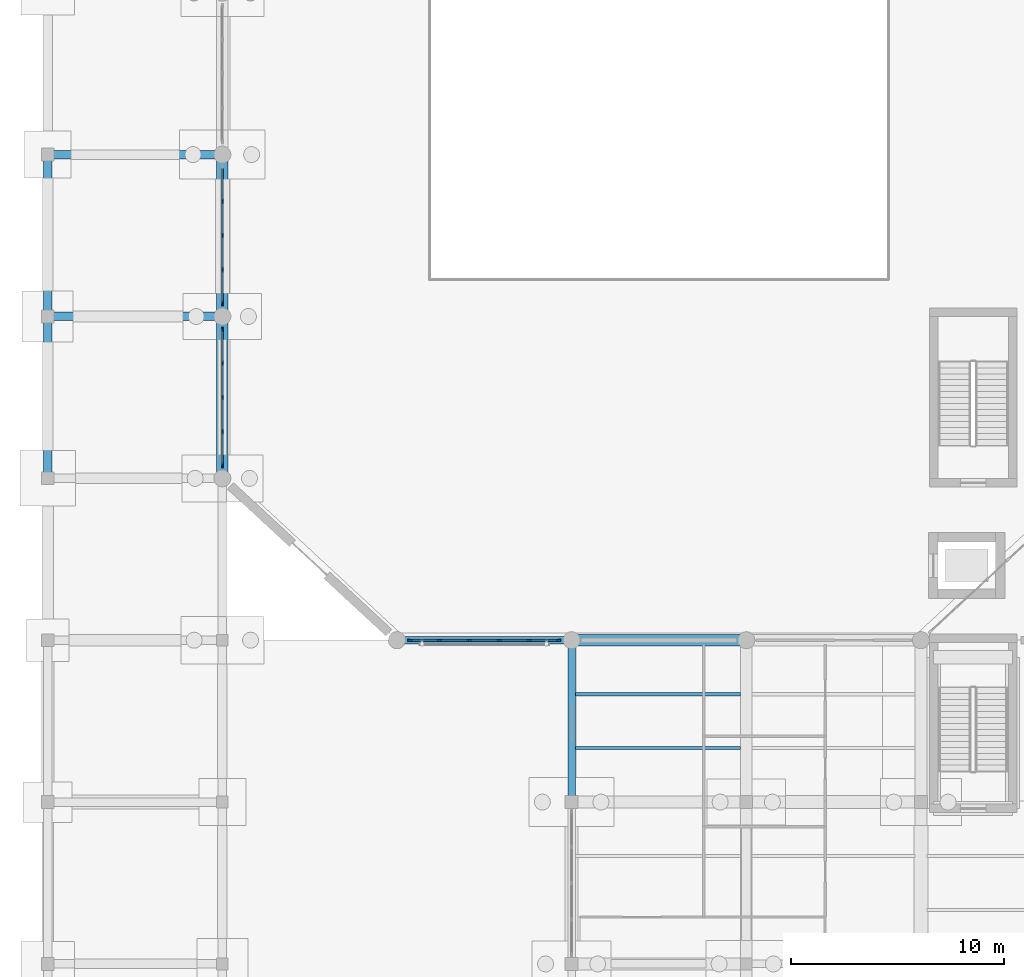
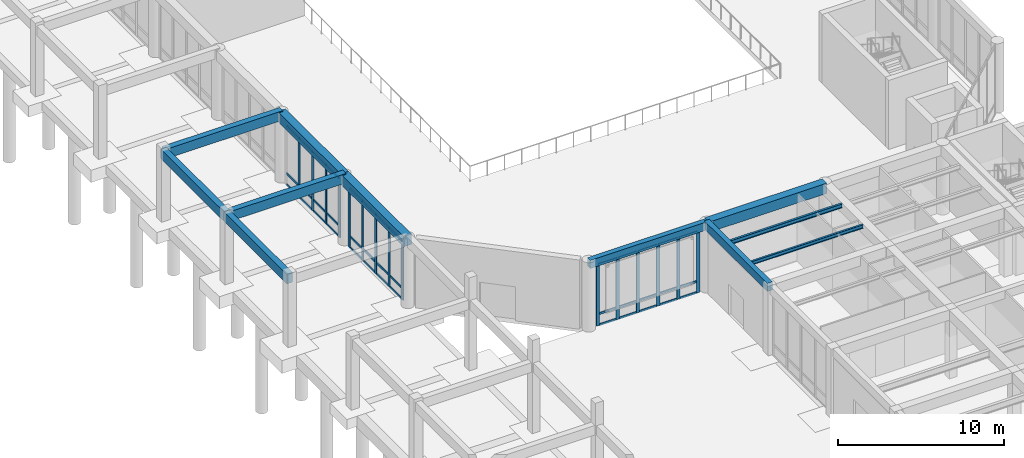
# One storey, part 14 of 64: 54 members, 11 beams, 3 elements without a shape of their own.
"""IFC4 building model written with IfcOpenShell, lengths in metres."""

from ifc_helpers import new_model, si_unit, direction, frame, origin, origin_2d, place, context, subcontext, project, spatial, rectangle, i_section, extrude, material, material_profile, profile_set, type_object, element, aggregate, save


model = new_model("IFC4")

# Units and contexts
model_context = context("Model", 3, precision=1e-05, world=origin(), true_north=direction((0.0, 1.0)))
body_context = subcontext(model_context, "Body", "Model", "MODEL_VIEW")
ifc_project = project(units=[si_unit("LENGTHUNIT", "METRE"), si_unit("AREAUNIT", "SQUARE_METRE"), si_unit("VOLUMEUNIT", "CUBIC_METRE"), si_unit("PLANEANGLEUNIT", "RADIAN"), si_unit("MASSUNIT", "GRAM", prefix="KILO")], contexts=[model_context])

# Site, building, storey
site_placement = place(None, origin())
site = spatial("IfcSite", under=ifc_project, at=site_placement, CompositionType="ELEMENT")
building_placement = place(site_placement, origin())
building = spatial("IfcBuilding", under=site, at=building_placement, Name="Qandaris Square Conservatory and Botanical Centre", CompositionType="ELEMENT")
storey_placement = place(building_placement, origin())
storey = spatial("IfcBuildingStorey", under=building, at=storey_placement, Name="L00", CompositionType="ELEMENT", Elevation=0.0)

# Beam
ifc_material_1 = material(Name="Steel S355", Category="steel")
ifc_material_profile_1 = material_profile(ifc_material_1, i_section(OverallWidth=0.14990234375, OverallDepth=0.300048828125, WebThickness=0.007080078125, FlangeThickness=0.0107421875, FilletRadius=0.014892578125, at=origin_2d()), Name="IPE 300")
ifc_profile_set_1 = profile_set([ifc_material_profile_1], Name="Steel S355")
beam_type_1 = type_object("IfcBeamType", Name="Composite Lab Joist IPE 300", PredefinedType="JOIST", material=ifc_profile_set_1)
beam_1_placement = place(storey_placement, frame((32.77490234375, 44.466796875, 4.93994140625), z_axis=(1.0, 0.0, 0.0), x_axis=(0.0, 1.0, 0.0)))
element("IfcBeam", 1, at=beam_1_placement, inside=storey, type_object=beam_type_1, Name="L00 Composite Joist 0704", PredefinedType="JOIST", context=body_context, shape_type="SweptSolid", body=[
    extrude(i_section(OverallWidth=0.14990234375, OverallDepth=0.300048828125, WebThickness=0.007080078125, FlangeThickness=0.0107421875, FilletRadius=0.014892578125, at=origin_2d()), origin(), (0.0, 0.0, 1.0), 7.75),
])

# Curtain wall, members
ifc_material_2 = material(Name="Anodised Aluminium", Category="aluminium")
curtain_wall_type_1 = type_object("IfcCurtainWallType", Name="Unitised Curtain Wall CW-1-704x450", PredefinedType="USERDEFINED", material=ifc_material_2)
curtain_wall_1_placement = place(storey_placement, origin())
curtain_wall_1 = element("IfcCurtainWall", 2, at=curtain_wall_1_placement, inside=storey, type_object=curtain_wall_type_1, Name="Curtain Wall CW-CON-L00-0W", ObjectType="GLAZED CURTAIN WALL", PredefinedType="USERDEFINED")
ifc_material_profile_2 = material_profile(ifc_material_2, rectangle(XDim=0.074951171875, YDim=0.219970703125, at=origin_2d()), Name="ALU-MUL 75x220")
ifc_profile_set_2 = profile_set([ifc_material_profile_2], Name="Anodised Aluminium")
member_type_1 = type_object("IfcMemberType", Name="Conservatory Heavy Mullion 75x220", PredefinedType="MULLION", material=ifc_profile_set_2)
member_1_placement = place(storey_placement, frame((25.017578125, 47.0, 0.0), z_axis=(0.0, 0.0, 1.0), x_axis=(0.0, 1.0, 0.0)))
member_1 = element("IfcMember", 3, at=member_1_placement, type_object=member_type_1, Name="CW-1-704x450 mullion 1", PredefinedType="MULLION", context=body_context, shape_type="SweptSolid", body=[
    extrude(rectangle(XDim=0.074951171875, YDim=0.219970703125, at=origin_2d()), origin(), (0.0, 0.0, 1.0), 4.5),
])
member_2_placement = place(storey_placement, frame((26.387939453125, 47.0, 0.0), z_axis=(0.0, 0.0, 1.0), x_axis=(0.0, 1.0, 0.0)))
member_2 = element("IfcMember", 4, at=member_2_placement, type_object=member_type_1, Name="CW-1-704x450 mullion 2", PredefinedType="MULLION", context=body_context, shape_type="SweptSolid", body=[
    extrude(rectangle(XDim=0.074951171875, YDim=0.219970703125, at=origin_2d()), origin(), (0.0, 0.0, 1.0), 4.5),
])
member_3_placement = place(storey_placement, frame((27.7958984375, 47.0, 0.0), z_axis=(0.0, 0.0, 1.0), x_axis=(0.0, 1.0, 0.0)))
member_3 = element("IfcMember", 5, at=member_3_placement, type_object=member_type_1, Name="CW-1-704x450 mullion 3", PredefinedType="MULLION", context=body_context, shape_type="SweptSolid", body=[
    extrude(rectangle(XDim=0.074951171875, YDim=0.219970703125, at=origin_2d()), origin(), (0.0, 0.0, 1.0), 4.5),
])
member_4_placement = place(storey_placement, frame((29.2041015625, 47.0, 0.0), z_axis=(0.0, 0.0, 1.0), x_axis=(0.0, 1.0, 0.0)))
member_4 = element("IfcMember", 6, at=member_4_placement, type_object=member_type_1, Name="CW-1-704x450 mullion 4", PredefinedType="MULLION", context=body_context, shape_type="SweptSolid", body=[
    extrude(rectangle(XDim=0.074951171875, YDim=0.219970703125, at=origin_2d()), origin(), (0.0, 0.0, 1.0), 4.5),
])
member_5_placement = place(storey_placement, frame((30.612060546875, 47.0, 0.0), z_axis=(0.0, 0.0, 1.0), x_axis=(0.0, 1.0, 0.0)))
member_5 = element("IfcMember", 7, at=member_5_placement, type_object=member_type_1, Name="CW-1-704x450 mullion 5", PredefinedType="MULLION", context=body_context, shape_type="SweptSolid", body=[
    extrude(rectangle(XDim=0.074951171875, YDim=0.219970703125, at=origin_2d()), origin(), (0.0, 0.0, 1.0), 4.5),
])
member_6_placement = place(storey_placement, frame((31.982421875, 47.0, 0.0), z_axis=(0.0, 0.0, 1.0), x_axis=(0.0, 1.0, 0.0)))
member_6 = element("IfcMember", 8, at=member_6_placement, type_object=member_type_1, Name="CW-1-704x450 mullion 6", PredefinedType="MULLION", context=body_context, shape_type="SweptSolid", body=[
    extrude(rectangle(XDim=0.074951171875, YDim=0.219970703125, at=origin_2d()), origin(), (0.0, 0.0, 1.0), 4.5),
])

curtain_wall_type_2 = type_object("IfcCurtainWallType", Name="Unitised Curtain Wall CW-1-644x435", PredefinedType="USERDEFINED", material=ifc_material_2)
curtain_wall_2_placement = place(storey_placement, origin())
curtain_wall_2 = element("IfcCurtainWall", 9, at=curtain_wall_2_placement, inside=storey, type_object=curtain_wall_type_2, Name="Curtain Wall CW-CON-L00-7-6", ObjectType="GLAZED CURTAIN WALL", PredefinedType="USERDEFINED")
member_7_placement = place(storey_placement, frame((16.199951171875, 67.610107421875, 0.0), z_axis=(0.0, 0.0, 1.0), x_axis=(1.0, 0.0, 0.0)))
member_7 = element("IfcMember", 10, at=member_7_placement, type_object=member_type_1, Name="CW-1-644x435 mullion 2", PredefinedType="MULLION", context=body_context, shape_type="SweptSolid", body=[
    extrude(rectangle(XDim=0.074951171875, YDim=0.219970703125, at=origin_2d()), origin(), (0.0, 0.0, 1.0), 4.35009765625),
])
member_8_placement = place(storey_placement, frame((16.199951171875, 66.0, 0.0), z_axis=(0.0, 0.0, 1.0), x_axis=(1.0, 0.0, 0.0)))
member_8 = element("IfcMember", 11, at=member_8_placement, type_object=member_type_1, Name="CW-1-644x435 mullion 3", PredefinedType="MULLION", context=body_context, shape_type="SweptSolid", body=[
    extrude(rectangle(XDim=0.074951171875, YDim=0.219970703125, at=origin_2d()), origin(), (0.0, 0.0, 1.0), 4.35009765625),
])
member_9_placement = place(storey_placement, frame((16.199951171875, 64.389892578125, 0.0), z_axis=(0.0, 0.0, 1.0), x_axis=(1.0, 0.0, 0.0)))
member_9 = element("IfcMember", 12, at=member_9_placement, type_object=member_type_1, Name="CW-1-644x435 mullion 4", PredefinedType="MULLION", context=body_context, shape_type="SweptSolid", body=[
    extrude(rectangle(XDim=0.074951171875, YDim=0.219970703125, at=origin_2d()), origin(), (0.0, 0.0, 1.0), 4.35009765625),
])
member_10_placement = place(storey_placement, frame((16.199951171875, 62.8173828125, 0.0), z_axis=(0.0, 0.0, 1.0), x_axis=(1.0, 0.0, 0.0)))
member_10 = element("IfcMember", 13, at=member_10_placement, type_object=member_type_1, Name="CW-1-644x435 mullion 5", PredefinedType="MULLION", context=body_context, shape_type="SweptSolid", body=[
    extrude(rectangle(XDim=0.074951171875, YDim=0.219970703125, at=origin_2d()), origin(), (0.0, 0.0, 1.0), 4.35009765625),
])

curtain_wall_3_placement = place(storey_placement, origin())
curtain_wall_3 = element("IfcCurtainWall", 14, at=curtain_wall_3_placement, inside=storey, type_object=curtain_wall_type_2, Name="Curtain Wall CW-CON-L00-7-7", ObjectType="GLAZED CURTAIN WALL", PredefinedType="USERDEFINED")
member_11_placement = place(storey_placement, frame((16.199951171875, 61.58251953125, 0.0), z_axis=(0.0, 0.0, 1.0), x_axis=(1.0, 0.0, 0.0)))
member_11 = element("IfcMember", 15, at=member_11_placement, type_object=member_type_1, Name="CW-1-644x435 mullion 1", PredefinedType="MULLION", context=body_context, shape_type="SweptSolid", body=[
    extrude(rectangle(XDim=0.074951171875, YDim=0.219970703125, at=origin_2d()), origin(), (0.0, 0.0, 1.0), 4.35009765625),
])
member_12_placement = place(storey_placement, frame((16.199951171875, 60.010009765625, 0.0), z_axis=(0.0, 0.0, 1.0), x_axis=(1.0, 0.0, 0.0)))
member_12 = element("IfcMember", 16, at=member_12_placement, type_object=member_type_1, Name="CW-1-644x435 mullion 2", PredefinedType="MULLION", context=body_context, shape_type="SweptSolid", body=[
    extrude(rectangle(XDim=0.074951171875, YDim=0.219970703125, at=origin_2d()), origin(), (0.0, 0.0, 1.0), 4.35009765625),
])
member_13_placement = place(storey_placement, frame((16.199951171875, 58.39990234375, 0.0), z_axis=(0.0, 0.0, 1.0), x_axis=(1.0, 0.0, 0.0)))
member_13 = element("IfcMember", 17, at=member_13_placement, type_object=member_type_1, Name="CW-1-644x435 mullion 3", PredefinedType="MULLION", context=body_context, shape_type="SweptSolid", body=[
    extrude(rectangle(XDim=0.074951171875, YDim=0.219970703125, at=origin_2d()), origin(), (0.0, 0.0, 1.0), 4.35009765625),
])
member_14_placement = place(storey_placement, frame((16.199951171875, 56.7900390625, 0.0), z_axis=(0.0, 0.0, 1.0), x_axis=(1.0, 0.0, 0.0)))
member_14 = element("IfcMember", 18, at=member_14_placement, type_object=member_type_1, Name="CW-1-644x435 mullion 4", PredefinedType="MULLION", context=body_context, shape_type="SweptSolid", body=[
    extrude(rectangle(XDim=0.074951171875, YDim=0.219970703125, at=origin_2d()), origin(), (0.0, 0.0, 1.0), 4.35009765625),
])
member_15_placement = place(storey_placement, frame((16.199951171875, 55.217529296875, 0.0), z_axis=(0.0, 0.0, 1.0), x_axis=(1.0, 0.0, 0.0)))
member_15 = element("IfcMember", 19, at=member_15_placement, type_object=member_type_1, Name="CW-1-644x435 mullion 5", PredefinedType="MULLION", context=body_context, shape_type="SweptSolid", body=[
    extrude(rectangle(XDim=0.074951171875, YDim=0.219970703125, at=origin_2d()), origin(), (0.0, 0.0, 1.0), 4.35009765625),
])

# Member
ifc_material_profile_3 = material_profile(ifc_material_2, rectangle(XDim=0.074951171875, YDim=0.159912109375, at=origin_2d()), Name="ALU-TRN 75x160")
ifc_profile_set_3 = profile_set([ifc_material_profile_3], Name="Anodised Aluminium")
member_type_2 = type_object("IfcMemberType", Name="Conservatory Heavy Transom 75x160", PredefinedType="USERDEFINED", material=ifc_profile_set_3)
member_16_placement = place(storey_placement, frame((25.054931640625, 47.0, 0.03759765625), z_axis=(1.0, 0.0, 0.0), x_axis=(0.0, 1.0, 0.0)))
member_16 = element("IfcMember", 20, at=member_16_placement, type_object=member_type_2, Name="CW-1-704x450 transom 1.1", ObjectType="TRANSOM", PredefinedType="USERDEFINED", context=body_context, shape_type="SweptSolid", body=[
    extrude(rectangle(XDim=0.074951171875, YDim=0.159912109375, at=origin_2d()), origin(), (0.0, 0.0, 1.0), 1.295654296875),
])

member_17_placement = place(storey_placement, frame((25.054931640625, 47.0, 0.85009765625), z_axis=(1.0, 0.0, 0.0), x_axis=(0.0, 1.0, 0.0)))
member_17 = element("IfcMember", 21, at=member_17_placement, type_object=member_type_2, Name="CW-1-704x450 transom 1.2", ObjectType="TRANSOM", PredefinedType="USERDEFINED", context=body_context, shape_type="SweptSolid", body=[
    extrude(rectangle(XDim=0.074951171875, YDim=0.159912109375, at=origin_2d()), origin(), (0.0, 0.0, 1.0), 1.295654296875),
])

member_18_placement = place(storey_placement, frame((25.054931640625, 47.0, 4.46240234375), z_axis=(1.0, 0.0, 0.0), x_axis=(0.0, 1.0, 0.0)))
member_18 = element("IfcMember", 22, at=member_18_placement, type_object=member_type_2, Name="CW-1-704x450 transom 1.3", ObjectType="TRANSOM", PredefinedType="USERDEFINED", context=body_context, shape_type="SweptSolid", body=[
    extrude(rectangle(XDim=0.074951171875, YDim=0.159912109375, at=origin_2d()), origin(), (0.0, 0.0, 1.0), 1.295654296875),
])

member_19_placement = place(storey_placement, frame((26.425537109375, 47.0, 0.03759765625), z_axis=(1.0, 0.0, 0.0), x_axis=(0.0, 1.0, 0.0)))
member_19 = element("IfcMember", 23, at=member_19_placement, type_object=member_type_2, Name="CW-1-704x450 transom 2.1", ObjectType="TRANSOM", PredefinedType="USERDEFINED", context=body_context, shape_type="SweptSolid", body=[
    extrude(rectangle(XDim=0.074951171875, YDim=0.159912109375, at=origin_2d()), origin(), (0.0, 0.0, 1.0), 1.3330078125),
])

member_20_placement = place(storey_placement, frame((26.425537109375, 47.0, 0.85009765625), z_axis=(1.0, 0.0, 0.0), x_axis=(0.0, 1.0, 0.0)))
member_20 = element("IfcMember", 24, at=member_20_placement, type_object=member_type_2, Name="CW-1-704x450 transom 2.2", ObjectType="TRANSOM", PredefinedType="USERDEFINED", context=body_context, shape_type="SweptSolid", body=[
    extrude(rectangle(XDim=0.074951171875, YDim=0.159912109375, at=origin_2d()), origin(), (0.0, 0.0, 1.0), 1.3330078125),
])

member_21_placement = place(storey_placement, frame((26.425537109375, 47.0, 4.46240234375), z_axis=(1.0, 0.0, 0.0), x_axis=(0.0, 1.0, 0.0)))
member_21 = element("IfcMember", 25, at=member_21_placement, type_object=member_type_2, Name="CW-1-704x450 transom 2.3", ObjectType="TRANSOM", PredefinedType="USERDEFINED", context=body_context, shape_type="SweptSolid", body=[
    extrude(rectangle(XDim=0.074951171875, YDim=0.159912109375, at=origin_2d()), origin(), (0.0, 0.0, 1.0), 1.3330078125),
])

member_22_placement = place(storey_placement, frame((27.83349609375, 47.0, 0.03759765625), z_axis=(1.0, 0.0, 0.0), x_axis=(0.0, 1.0, 0.0)))
member_22 = element("IfcMember", 26, at=member_22_placement, type_object=member_type_2, Name="CW-1-704x450 transom 3.1", ObjectType="TRANSOM", PredefinedType="USERDEFINED", context=body_context, shape_type="SweptSolid", body=[
    extrude(rectangle(XDim=0.074951171875, YDim=0.159912109375, at=origin_2d()), origin(), (0.0, 0.0, 1.0), 1.3330078125),
])

member_23_placement = place(storey_placement, frame((27.83349609375, 47.0, 0.85009765625), z_axis=(1.0, 0.0, 0.0), x_axis=(0.0, 1.0, 0.0)))
member_23 = element("IfcMember", 27, at=member_23_placement, type_object=member_type_2, Name="CW-1-704x450 transom 3.2", ObjectType="TRANSOM", PredefinedType="USERDEFINED", context=body_context, shape_type="SweptSolid", body=[
    extrude(rectangle(XDim=0.074951171875, YDim=0.159912109375, at=origin_2d()), origin(), (0.0, 0.0, 1.0), 1.3330078125),
])

member_24_placement = place(storey_placement, frame((27.83349609375, 47.0, 4.46240234375), z_axis=(1.0, 0.0, 0.0), x_axis=(0.0, 1.0, 0.0)))
member_24 = element("IfcMember", 28, at=member_24_placement, type_object=member_type_2, Name="CW-1-704x450 transom 3.3", ObjectType="TRANSOM", PredefinedType="USERDEFINED", context=body_context, shape_type="SweptSolid", body=[
    extrude(rectangle(XDim=0.074951171875, YDim=0.159912109375, at=origin_2d()), origin(), (0.0, 0.0, 1.0), 1.3330078125),
])

member_25_placement = place(storey_placement, frame((29.241455078125, 47.0, 0.03759765625), z_axis=(1.0, 0.0, 0.0), x_axis=(0.0, 1.0, 0.0)))
member_25 = element("IfcMember", 29, at=member_25_placement, type_object=member_type_2, Name="CW-1-704x450 transom 4.1", ObjectType="TRANSOM", PredefinedType="USERDEFINED", context=body_context, shape_type="SweptSolid", body=[
    extrude(rectangle(XDim=0.074951171875, YDim=0.159912109375, at=origin_2d()), origin(), (0.0, 0.0, 1.0), 1.3330078125),
])

member_26_placement = place(storey_placement, frame((29.241455078125, 47.0, 0.85009765625), z_axis=(1.0, 0.0, 0.0), x_axis=(0.0, 1.0, 0.0)))
member_26 = element("IfcMember", 30, at=member_26_placement, type_object=member_type_2, Name="CW-1-704x450 transom 4.2", ObjectType="TRANSOM", PredefinedType="USERDEFINED", context=body_context, shape_type="SweptSolid", body=[
    extrude(rectangle(XDim=0.074951171875, YDim=0.159912109375, at=origin_2d()), origin(), (0.0, 0.0, 1.0), 1.3330078125),
])

member_27_placement = place(storey_placement, frame((29.241455078125, 47.0, 4.46240234375), z_axis=(1.0, 0.0, 0.0), x_axis=(0.0, 1.0, 0.0)))
member_27 = element("IfcMember", 31, at=member_27_placement, type_object=member_type_2, Name="CW-1-704x450 transom 4.3", ObjectType="TRANSOM", PredefinedType="USERDEFINED", context=body_context, shape_type="SweptSolid", body=[
    extrude(rectangle(XDim=0.074951171875, YDim=0.159912109375, at=origin_2d()), origin(), (0.0, 0.0, 1.0), 1.3330078125),
])

member_28_placement = place(storey_placement, frame((30.6494140625, 47.0, 0.03759765625), z_axis=(1.0, 0.0, 0.0), x_axis=(0.0, 1.0, 0.0)))
member_28 = element("IfcMember", 32, at=member_28_placement, type_object=member_type_2, Name="CW-1-704x450 transom 5.1", ObjectType="TRANSOM", PredefinedType="USERDEFINED", context=body_context, shape_type="SweptSolid", body=[
    extrude(rectangle(XDim=0.074951171875, YDim=0.159912109375, at=origin_2d()), origin(), (0.0, 0.0, 1.0), 1.295654296875),
])

member_29_placement = place(storey_placement, frame((30.6494140625, 47.0, 0.85009765625), z_axis=(1.0, 0.0, 0.0), x_axis=(0.0, 1.0, 0.0)))
member_29 = element("IfcMember", 33, at=member_29_placement, type_object=member_type_2, Name="CW-1-704x450 transom 5.2", ObjectType="TRANSOM", PredefinedType="USERDEFINED", context=body_context, shape_type="SweptSolid", body=[
    extrude(rectangle(XDim=0.074951171875, YDim=0.159912109375, at=origin_2d()), origin(), (0.0, 0.0, 1.0), 1.295654296875),
])

member_30_placement = place(storey_placement, frame((30.6494140625, 47.0, 4.46240234375), z_axis=(1.0, 0.0, 0.0), x_axis=(0.0, 1.0, 0.0)))
member_30 = element("IfcMember", 34, at=member_30_placement, type_object=member_type_2, Name="CW-1-704x450 transom 5.3", ObjectType="TRANSOM", PredefinedType="USERDEFINED", context=body_context, shape_type="SweptSolid", body=[
    extrude(rectangle(XDim=0.074951171875, YDim=0.159912109375, at=origin_2d()), origin(), (0.0, 0.0, 1.0), 1.295654296875),
])

aggregate(curtain_wall_1, [member_1, member_2, member_3, member_4, member_5, member_6, member_16, member_17, member_18, member_19, member_20, member_21, member_22, member_23, member_24, member_25, member_26, member_27, member_28, member_29, member_30])

member_31_placement = place(storey_placement, frame((16.199951171875, 69.14501953125, 0.03759765625), z_axis=(0.0, -1.0, 0.0), x_axis=(1.0, 0.0, 0.0)))
member_31 = element("IfcMember", 35, at=member_31_placement, type_object=member_type_2, Name="CW-1-644x435 transom 1.1", ObjectType="TRANSOM", PredefinedType="USERDEFINED", context=body_context, shape_type="SweptSolid", body=[
    extrude(rectangle(XDim=0.074951171875, YDim=0.159912109375, at=origin_2d()), origin(), (0.0, 0.0, 1.0), 1.49755859375),
])

member_32_placement = place(storey_placement, frame((16.199951171875, 69.14501953125, 0.85009765625), z_axis=(0.0, -1.0, 0.0), x_axis=(1.0, 0.0, 0.0)))
member_32 = element("IfcMember", 36, at=member_32_placement, type_object=member_type_2, Name="CW-1-644x435 transom 1.2", ObjectType="TRANSOM", PredefinedType="USERDEFINED", context=body_context, shape_type="SweptSolid", body=[
    extrude(rectangle(XDim=0.074951171875, YDim=0.159912109375, at=origin_2d()), origin(), (0.0, 0.0, 1.0), 1.49755859375),
])

member_33_placement = place(storey_placement, frame((16.199951171875, 69.14501953125, 4.3125), z_axis=(0.0, -1.0, 0.0), x_axis=(1.0, 0.0, 0.0)))
member_33 = element("IfcMember", 37, at=member_33_placement, type_object=member_type_2, Name="CW-1-644x435 transom 1.3", ObjectType="TRANSOM", PredefinedType="USERDEFINED", context=body_context, shape_type="SweptSolid", body=[
    extrude(rectangle(XDim=0.074951171875, YDim=0.159912109375, at=origin_2d()), origin(), (0.0, 0.0, 1.0), 1.49755859375),
])

member_34_placement = place(storey_placement, frame((16.199951171875, 67.572509765625, 0.03759765625), z_axis=(0.0, -1.0, 0.0), x_axis=(1.0, 0.0, 0.0)))
member_34 = element("IfcMember", 38, at=member_34_placement, type_object=member_type_2, Name="CW-1-644x435 transom 2.1", ObjectType="TRANSOM", PredefinedType="USERDEFINED", context=body_context, shape_type="SweptSolid", body=[
    extrude(rectangle(XDim=0.074951171875, YDim=0.159912109375, at=origin_2d()), origin(), (0.0, 0.0, 1.0), 1.534912109375),
])

member_35_placement = place(storey_placement, frame((16.199951171875, 67.572509765625, 0.85009765625), z_axis=(0.0, -1.0, 0.0), x_axis=(1.0, 0.0, 0.0)))
member_35 = element("IfcMember", 39, at=member_35_placement, type_object=member_type_2, Name="CW-1-644x435 transom 2.2", ObjectType="TRANSOM", PredefinedType="USERDEFINED", context=body_context, shape_type="SweptSolid", body=[
    extrude(rectangle(XDim=0.074951171875, YDim=0.159912109375, at=origin_2d()), origin(), (0.0, 0.0, 1.0), 1.534912109375),
])

member_36_placement = place(storey_placement, frame((16.199951171875, 67.572509765625, 4.3125), z_axis=(0.0, -1.0, 0.0), x_axis=(1.0, 0.0, 0.0)))
member_36 = element("IfcMember", 40, at=member_36_placement, type_object=member_type_2, Name="CW-1-644x435 transom 2.3", ObjectType="TRANSOM", PredefinedType="USERDEFINED", context=body_context, shape_type="SweptSolid", body=[
    extrude(rectangle(XDim=0.074951171875, YDim=0.159912109375, at=origin_2d()), origin(), (0.0, 0.0, 1.0), 1.534912109375),
])

member_37_placement = place(storey_placement, frame((16.199951171875, 65.96240234375, 0.03759765625), z_axis=(0.0, -1.0, 0.0), x_axis=(1.0, 0.0, 0.0)))
member_37 = element("IfcMember", 41, at=member_37_placement, type_object=member_type_2, Name="CW-1-644x435 transom 3.1", ObjectType="TRANSOM", PredefinedType="USERDEFINED", context=body_context, shape_type="SweptSolid", body=[
    extrude(rectangle(XDim=0.074951171875, YDim=0.159912109375, at=origin_2d()), origin(), (0.0, 0.0, 1.0), 1.534912109375),
])

member_38_placement = place(storey_placement, frame((16.199951171875, 65.96240234375, 0.85009765625), z_axis=(0.0, -1.0, 0.0), x_axis=(1.0, 0.0, 0.0)))
member_38 = element("IfcMember", 42, at=member_38_placement, type_object=member_type_2, Name="CW-1-644x435 transom 3.2", ObjectType="TRANSOM", PredefinedType="USERDEFINED", context=body_context, shape_type="SweptSolid", body=[
    extrude(rectangle(XDim=0.074951171875, YDim=0.159912109375, at=origin_2d()), origin(), (0.0, 0.0, 1.0), 1.534912109375),
])

member_39_placement = place(storey_placement, frame((16.199951171875, 65.96240234375, 4.3125), z_axis=(0.0, -1.0, 0.0), x_axis=(1.0, 0.0, 0.0)))
member_39 = element("IfcMember", 43, at=member_39_placement, type_object=member_type_2, Name="CW-1-644x435 transom 3.3", ObjectType="TRANSOM", PredefinedType="USERDEFINED", context=body_context, shape_type="SweptSolid", body=[
    extrude(rectangle(XDim=0.074951171875, YDim=0.159912109375, at=origin_2d()), origin(), (0.0, 0.0, 1.0), 1.534912109375),
])

member_40_placement = place(storey_placement, frame((16.199951171875, 64.3525390625, 0.03759765625), z_axis=(0.0, -1.0, 0.0), x_axis=(1.0, 0.0, 0.0)))
member_40 = element("IfcMember", 44, at=member_40_placement, type_object=member_type_2, Name="CW-1-644x435 transom 4.1", ObjectType="TRANSOM", PredefinedType="USERDEFINED", context=body_context, shape_type="SweptSolid", body=[
    extrude(rectangle(XDim=0.074951171875, YDim=0.159912109375, at=origin_2d()), origin(), (0.0, 0.0, 1.0), 1.49755859375),
])

member_41_placement = place(storey_placement, frame((16.199951171875, 64.3525390625, 0.85009765625), z_axis=(0.0, -1.0, 0.0), x_axis=(1.0, 0.0, 0.0)))
member_41 = element("IfcMember", 45, at=member_41_placement, type_object=member_type_2, Name="CW-1-644x435 transom 4.2", ObjectType="TRANSOM", PredefinedType="USERDEFINED", context=body_context, shape_type="SweptSolid", body=[
    extrude(rectangle(XDim=0.074951171875, YDim=0.159912109375, at=origin_2d()), origin(), (0.0, 0.0, 1.0), 1.49755859375),
])

member_42_placement = place(storey_placement, frame((16.199951171875, 64.3525390625, 4.3125), z_axis=(0.0, -1.0, 0.0), x_axis=(1.0, 0.0, 0.0)))
member_42 = element("IfcMember", 46, at=member_42_placement, type_object=member_type_2, Name="CW-1-644x435 transom 4.3", ObjectType="TRANSOM", PredefinedType="USERDEFINED", context=body_context, shape_type="SweptSolid", body=[
    extrude(rectangle(XDim=0.074951171875, YDim=0.159912109375, at=origin_2d()), origin(), (0.0, 0.0, 1.0), 1.49755859375),
])

aggregate(curtain_wall_2, [member_7, member_8, member_9, member_10, member_31, member_32, member_33, member_34, member_35, member_36, member_37, member_38, member_39, member_40, member_41, member_42])

member_43_placement = place(storey_placement, frame((16.199951171875, 61.544921875, 0.03759765625), z_axis=(0.0, -1.0, 0.0), x_axis=(1.0, 0.0, 0.0)))
member_43 = element("IfcMember", 47, at=member_43_placement, type_object=member_type_2, Name="CW-1-644x435 transom 1.1", ObjectType="TRANSOM", PredefinedType="USERDEFINED", context=body_context, shape_type="SweptSolid", body=[
    extrude(rectangle(XDim=0.074951171875, YDim=0.159912109375, at=origin_2d()), origin(), (0.0, 0.0, 1.0), 1.497314453125),
])

member_44_placement = place(storey_placement, frame((16.199951171875, 61.544921875, 0.85009765625), z_axis=(0.0, -1.0, 0.0), x_axis=(1.0, 0.0, 0.0)))
member_44 = element("IfcMember", 48, at=member_44_placement, type_object=member_type_2, Name="CW-1-644x435 transom 1.2", ObjectType="TRANSOM", PredefinedType="USERDEFINED", context=body_context, shape_type="SweptSolid", body=[
    extrude(rectangle(XDim=0.074951171875, YDim=0.159912109375, at=origin_2d()), origin(), (0.0, 0.0, 1.0), 1.497314453125),
])

member_45_placement = place(storey_placement, frame((16.199951171875, 61.544921875, 4.3125), z_axis=(0.0, -1.0, 0.0), x_axis=(1.0, 0.0, 0.0)))
member_45 = element("IfcMember", 49, at=member_45_placement, type_object=member_type_2, Name="CW-1-644x435 transom 1.3", ObjectType="TRANSOM", PredefinedType="USERDEFINED", context=body_context, shape_type="SweptSolid", body=[
    extrude(rectangle(XDim=0.074951171875, YDim=0.159912109375, at=origin_2d()), origin(), (0.0, 0.0, 1.0), 1.497314453125),
])

member_46_placement = place(storey_placement, frame((16.199951171875, 59.972412109375, 0.03759765625), z_axis=(0.0, -1.0, 0.0), x_axis=(1.0, 0.0, 0.0)))
member_46 = element("IfcMember", 50, at=member_46_placement, type_object=member_type_2, Name="CW-1-644x435 transom 2.1", ObjectType="TRANSOM", PredefinedType="USERDEFINED", context=body_context, shape_type="SweptSolid", body=[
    extrude(rectangle(XDim=0.074951171875, YDim=0.159912109375, at=origin_2d()), origin(), (0.0, 0.0, 1.0), 1.534912109375),
])

member_47_placement = place(storey_placement, frame((16.199951171875, 59.972412109375, 0.85009765625), z_axis=(0.0, -1.0, 0.0), x_axis=(1.0, 0.0, 0.0)))
member_47 = element("IfcMember", 51, at=member_47_placement, type_object=member_type_2, Name="CW-1-644x435 transom 2.2", ObjectType="TRANSOM", PredefinedType="USERDEFINED", context=body_context, shape_type="SweptSolid", body=[
    extrude(rectangle(XDim=0.074951171875, YDim=0.159912109375, at=origin_2d()), origin(), (0.0, 0.0, 1.0), 1.534912109375),
])

member_48_placement = place(storey_placement, frame((16.199951171875, 59.972412109375, 4.3125), z_axis=(0.0, -1.0, 0.0), x_axis=(1.0, 0.0, 0.0)))
member_48 = element("IfcMember", 52, at=member_48_placement, type_object=member_type_2, Name="CW-1-644x435 transom 2.3", ObjectType="TRANSOM", PredefinedType="USERDEFINED", context=body_context, shape_type="SweptSolid", body=[
    extrude(rectangle(XDim=0.074951171875, YDim=0.159912109375, at=origin_2d()), origin(), (0.0, 0.0, 1.0), 1.534912109375),
])

member_49_placement = place(storey_placement, frame((16.199951171875, 58.362548828125, 0.03759765625), z_axis=(0.0, -1.0, 0.0), x_axis=(1.0, 0.0, 0.0)))
member_49 = element("IfcMember", 53, at=member_49_placement, type_object=member_type_2, Name="CW-1-644x435 transom 3.1", ObjectType="TRANSOM", PredefinedType="USERDEFINED", context=body_context, shape_type="SweptSolid", body=[
    extrude(rectangle(XDim=0.074951171875, YDim=0.159912109375, at=origin_2d()), origin(), (0.0, 0.0, 1.0), 1.53515625),
])

member_50_placement = place(storey_placement, frame((16.199951171875, 58.362548828125, 0.85009765625), z_axis=(0.0, -1.0, 0.0), x_axis=(1.0, 0.0, 0.0)))
member_50 = element("IfcMember", 54, at=member_50_placement, type_object=member_type_2, Name="CW-1-644x435 transom 3.2", ObjectType="TRANSOM", PredefinedType="USERDEFINED", context=body_context, shape_type="SweptSolid", body=[
    extrude(rectangle(XDim=0.074951171875, YDim=0.159912109375, at=origin_2d()), origin(), (0.0, 0.0, 1.0), 1.53515625),
])

member_51_placement = place(storey_placement, frame((16.199951171875, 58.362548828125, 4.3125), z_axis=(0.0, -1.0, 0.0), x_axis=(1.0, 0.0, 0.0)))
member_51 = element("IfcMember", 55, at=member_51_placement, type_object=member_type_2, Name="CW-1-644x435 transom 3.3", ObjectType="TRANSOM", PredefinedType="USERDEFINED", context=body_context, shape_type="SweptSolid", body=[
    extrude(rectangle(XDim=0.074951171875, YDim=0.159912109375, at=origin_2d()), origin(), (0.0, 0.0, 1.0), 1.53515625),
])

member_52_placement = place(storey_placement, frame((16.199951171875, 56.75244140625, 0.03759765625), z_axis=(0.0, -1.0, 0.0), x_axis=(1.0, 0.0, 0.0)))
member_52 = element("IfcMember", 56, at=member_52_placement, type_object=member_type_2, Name="CW-1-644x435 transom 4.1", ObjectType="TRANSOM", PredefinedType="USERDEFINED", context=body_context, shape_type="SweptSolid", body=[
    extrude(rectangle(XDim=0.074951171875, YDim=0.159912109375, at=origin_2d()), origin(), (0.0, 0.0, 1.0), 1.49755859375),
])

member_53_placement = place(storey_placement, frame((16.199951171875, 56.75244140625, 0.85009765625), z_axis=(0.0, -1.0, 0.0), x_axis=(1.0, 0.0, 0.0)))
member_53 = element("IfcMember", 57, at=member_53_placement, type_object=member_type_2, Name="CW-1-644x435 transom 4.2", ObjectType="TRANSOM", PredefinedType="USERDEFINED", context=body_context, shape_type="SweptSolid", body=[
    extrude(rectangle(XDim=0.074951171875, YDim=0.159912109375, at=origin_2d()), origin(), (0.0, 0.0, 1.0), 1.49755859375),
])

member_54_placement = place(storey_placement, frame((16.199951171875, 56.75244140625, 4.3125), z_axis=(0.0, -1.0, 0.0), x_axis=(1.0, 0.0, 0.0)))
member_54 = element("IfcMember", 58, at=member_54_placement, type_object=member_type_2, Name="CW-1-644x435 transom 4.3", ObjectType="TRANSOM", PredefinedType="USERDEFINED", context=body_context, shape_type="SweptSolid", body=[
    extrude(rectangle(XDim=0.074951171875, YDim=0.159912109375, at=origin_2d()), origin(), (0.0, 0.0, 1.0), 1.49755859375),
])

aggregate(curtain_wall_3, [member_11, member_12, member_13, member_14, member_15, member_43, member_44, member_45, member_46, member_47, member_48, member_49, member_50, member_51, member_52, member_53, member_54])

# Beams
ifc_material_3 = material(Name="Concrete C50/60", Category="concrete")
ifc_material_profile_4 = material_profile(ifc_material_3, rectangle(XDim=0.39990234375, YDim=0.699951171875, at=origin_2d()), Name="RC-SP 400x700")
ifc_profile_set_4 = profile_set([ifc_material_profile_4], Name="Concrete C50/60")
beam_type_2 = type_object("IfcBeamType", Name="RC Colonnade Spandrel Beam 400x700", PredefinedType="SPANDREL", material=ifc_profile_set_4)
for number, where, z_axis, x_axis, name in (
    (59, (8.0, 62.199951171875, 4.824951171875), (1.0, 0.0, 0.0), (0.0, 1.0, 0.0), "L00 Frame Beam 0411"),
    (60, (8.0, 69.800048828125, 4.824951171875), (1.0, 0.0, 0.0), (0.0, 1.0, 0.0), "L00 Frame Beam 0419"),
):
    element("IfcBeam", number, at=place(storey_placement, frame(where, z_axis=z_axis, x_axis=x_axis)), inside=storey, type_object=beam_type_2, Name=name, PredefinedType="SPANDREL", context=body_context, shape_type="SweptSolid", body=[
        extrude(rectangle(XDim=0.39990234375, YDim=0.699951171875, at=origin_2d()), origin(), (0.0, 0.0, 1.0), 8.199951171875),
    ])
beam_2_placement = place(storey_placement, frame((8.0, 54.60009765625, 4.824951171875), z_axis=(0.0, 1.0, 0.0), x_axis=(-1.0, 0.0, 0.0)))
element("IfcBeam", 61, at=beam_2_placement, inside=storey, type_object=beam_type_2, Name="L00 Frame Beam 0508", PredefinedType="SPANDREL", context=body_context, shape_type="SweptSolid", body=[
    extrude(rectangle(XDim=0.39990234375, YDim=0.699951171875, at=origin_2d()), origin(), (0.0, 0.0, 1.0), 7.599853515625),
])
beam_3_placement = place(storey_placement, frame((8.0, 62.199951171875, 4.824951171875), z_axis=(0.0, 1.0, 0.0), x_axis=(-1.0, 0.0, 0.0)))
element("IfcBeam", 62, at=beam_3_placement, inside=storey, type_object=beam_type_2, Name="L00 Frame Beam 0509", PredefinedType="SPANDREL", context=body_context, shape_type="SweptSolid", body=[
    extrude(rectangle(XDim=0.39990234375, YDim=0.699951171875, at=origin_2d()), origin(), (0.0, 0.0, 1.0), 7.60009765625),
])
ifc_material_profile_5 = material_profile(ifc_material_3, rectangle(XDim=0.35009765625, YDim=0.60009765625, at=origin_2d()), Name="RC-SP 350x600")
ifc_profile_set_5 = profile_set([ifc_material_profile_5], Name="Concrete C50/60")
beam_type_3 = type_object("IfcBeamType", Name="RC Edge Spandrel Beam 350x600", PredefinedType="SPANDREL", material=ifc_profile_set_5)
beam_4_placement = place(storey_placement, frame((24.39990234375, 47.0, 4.800048828125), z_axis=(1.0, 0.0, 0.0), x_axis=(0.0, 1.0, 0.0)))
element("IfcBeam", 63, at=beam_4_placement, inside=storey, type_object=beam_type_3, Name="L00 Frame Beam 0393", PredefinedType="SPANDREL", context=body_context, shape_type="SweptSolid", body=[
    extrude(rectangle(XDim=0.35009765625, YDim=0.60009765625, at=origin_2d()), origin(), (0.0, 0.0, 1.0), 8.2001953125),
])
beam_5_placement = place(storey_placement, frame((32.60009765625, 39.39990234375, 4.800048828125), z_axis=(0.0, 1.0, 0.0), x_axis=(-1.0, 0.0, 0.0)))
element("IfcBeam", 64, at=beam_5_placement, inside=storey, type_object=beam_type_3, Name="L00 Frame Beam 0535", PredefinedType="SPANDREL", context=body_context, shape_type="SweptSolid", body=[
    extrude(rectangle(XDim=0.35009765625, YDim=0.60009765625, at=origin_2d()), origin(), (0.0, 0.0, 1.0), 7.60009765625),
])
ifc_material_profile_6 = material_profile(ifc_material_3, rectangle(XDim=0.550048828125, YDim=0.75, at=origin_2d()), Name="RC-BM 550x750")
ifc_profile_set_6 = profile_set([ifc_material_profile_6], Name="Concrete C50/60")
beam_type_4 = type_object("IfcBeamType", Name="RC Plinth Girder 550x750", PredefinedType="BEAM", material=ifc_profile_set_6)
beam_6_placement = place(storey_placement, frame((32.60009765625, 47.0, 4.72509765625), z_axis=(1.0, 0.0, 0.0), x_axis=(0.0, 1.0, 0.0)))
element("IfcBeam", 65, at=beam_6_placement, inside=storey, type_object=beam_type_4, Name="L00 Frame Beam 0394", PredefinedType="BEAM", context=body_context, shape_type="SweptSolid", body=[
    extrude(rectangle(XDim=0.550048828125, YDim=0.75, at=origin_2d()), origin(), (0.0, 0.0, 1.0), 8.199951171875),
])
beam_7_placement = place(storey_placement, frame((16.199951171875, 54.60009765625, 4.72509765625), z_axis=(0.0, 1.0, 0.0), x_axis=(-1.0, 0.0, 0.0)))
element("IfcBeam", 66, at=beam_7_placement, inside=storey, type_object=beam_type_4, Name="L00 Frame Beam 0521", PredefinedType="BEAM", context=body_context, shape_type="SweptSolid", body=[
    extrude(rectangle(XDim=0.550048828125, YDim=0.75, at=origin_2d()), origin(), (0.0, 0.0, 1.0), 7.599853515625),
])
beam_8_placement = place(storey_placement, frame((16.199951171875, 62.199951171875, 4.72509765625), z_axis=(0.0, 1.0, 0.0), x_axis=(-1.0, 0.0, 0.0)))
element("IfcBeam", 67, at=beam_8_placement, inside=storey, type_object=beam_type_4, Name="L00 Frame Beam 0522", PredefinedType="BEAM", context=body_context, shape_type="SweptSolid", body=[
    extrude(rectangle(XDim=0.550048828125, YDim=0.75, at=origin_2d()), origin(), (0.0, 0.0, 1.0), 7.60009765625),
])
ifc_material_profile_7 = material_profile(ifc_material_1, i_section(OverallWidth=0.135009765625, OverallDepth=0.27001953125, WebThickness=0.006591796875, FlangeThickness=0.01025390625, FilletRadius=0.014892578125, at=origin_2d()), Name="IPE 270")
ifc_profile_set_7 = profile_set([ifc_material_profile_7], Name="Steel S355")
beam_type_5 = type_object("IfcBeamType", Name="Steel Floor Joist IPE 270", PredefinedType="JOIST", material=ifc_profile_set_7)
beam_9_placement = place(storey_placement, frame((32.77490234375, 41.933349609375, 4.955078125), z_axis=(1.0, 0.0, 0.0), x_axis=(0.0, 1.0, 0.0)))
element("IfcBeam", 68, at=beam_9_placement, inside=storey, type_object=beam_type_5, Name="L00 Composite Joist 0703", PredefinedType="JOIST", context=body_context, shape_type="SweptSolid", body=[
    extrude(i_section(OverallWidth=0.135009765625, OverallDepth=0.27001953125, WebThickness=0.006591796875, FlangeThickness=0.01025390625, FilletRadius=0.014892578125, at=origin_2d()), origin(), (0.0, 0.0, 1.0), 7.75),
])

save(model, "model.ifc")
